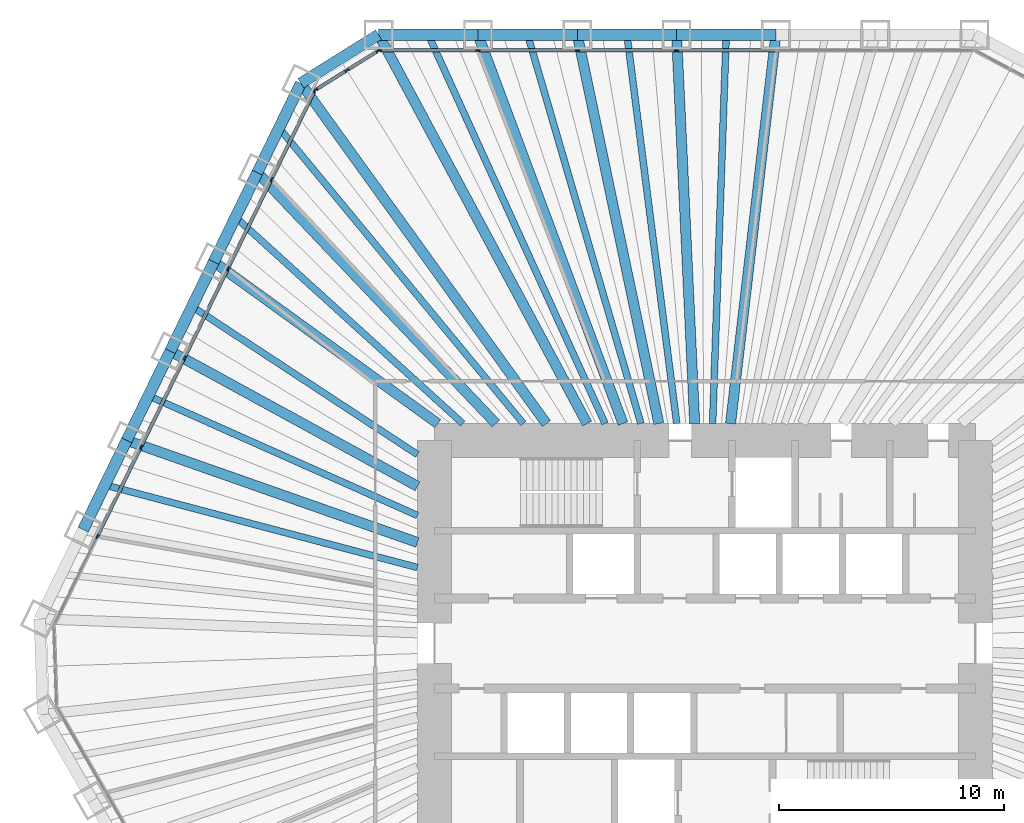
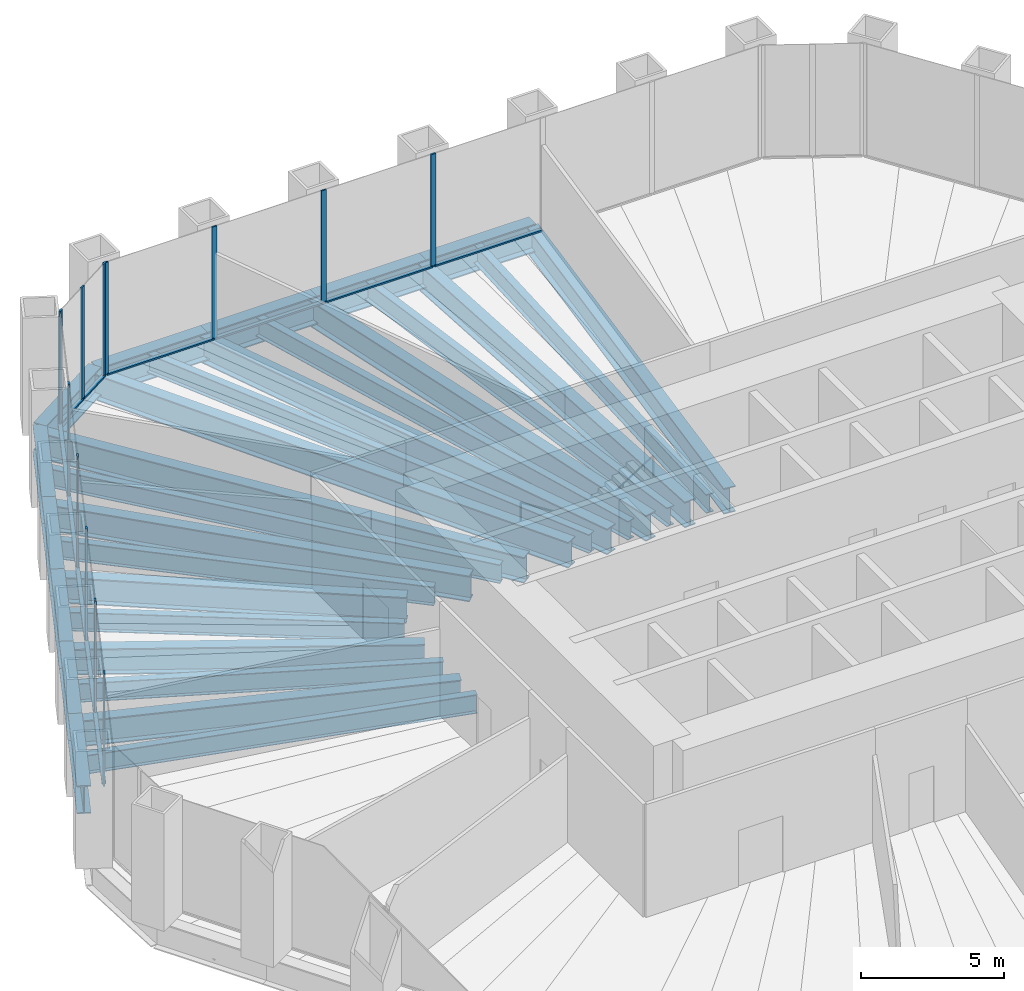
# One storey, part 6 of 13: 29 beams, 24 members, 3 elements without a shape of their own.
"""IFC4 building model written with IfcOpenShell, lengths in metres."""

from ifc_helpers import new_model, si_unit, direction, frame, origin, origin_2d, place, context, subcontext, project, spatial, rectangle, i_section, extrude, material, material_profile, profile_set, type_object, element, aggregate, save


model = new_model("IFC4")

# Units and contexts
model_context = context("Model", 3, precision=1e-05, world=origin(), true_north=direction((0.0, 1.0)))
body_context = subcontext(model_context, "Body", "Model", "MODEL_VIEW")
ifc_project = project(units=[si_unit("LENGTHUNIT", "METRE"), si_unit("AREAUNIT", "SQUARE_METRE"), si_unit("VOLUMEUNIT", "CUBIC_METRE"), si_unit("PLANEANGLEUNIT", "RADIAN"), si_unit("MASSUNIT", "GRAM", prefix="KILO")], contexts=[model_context])

# Site, building, storey
site_placement = place(None, origin())
site = spatial("IfcSite", under=ifc_project, at=site_placement, CompositionType="ELEMENT")
building_placement = place(site_placement, origin())
building = spatial("IfcBuilding", under=site, at=building_placement, Name="Qingtian Harvest Tower", CompositionType="ELEMENT")
storey_placement = place(building_placement, frame((0.0, 0.0, 42.0)))
storey = spatial("IfcBuildingStorey", under=building, at=storey_placement, Name="L08", CompositionType="ELEMENT", Elevation=42.0)

# Beams
ifc_material_1 = material(Name="Steel SM570MC", Category="steel")
ifc_material_profile_1 = material_profile(ifc_material_1, i_section(OverallWidth=0.449951171875, OverallDepth=1.10009765625, WebThickness=0.02197265625, FlangeThickness=0.044921875, at=origin_2d()), Name="H1100x450x22x45")
ifc_profile_set_1 = profile_set([ifc_material_profile_1], Name="Steel SM570MC")
beam_type_1 = type_object("IfcBeamType", Name="Corner floor beam FB8 H1100x450x22x45", PredefinedType="BEAM", material=ifc_profile_set_1)
beam_1_placement = place(storey_placement, frame((-14.471435546875, 27.0, -0.75), z_axis=(0.472401408299, -0.881383520062, 0.0), x_axis=(0.881383520062, 0.472401408299, 0.0)))
element("IfcBeam", 1, at=beam_1_placement, inside=storey, type_object=beam_type_1, Name="Floor beam FB8 N0", PredefinedType="BEAM", context=body_context, shape_type="SweptSolid", body=[
    extrude(i_section(OverallWidth=0.449951171875, OverallDepth=1.10009765625, WebThickness=0.02197265625, FlangeThickness=0.044921875, at=origin_2d()), origin(), (0.0, 0.0, 1.0), 19.571533203125),
])
beam_2_placement = place(storey_placement, frame((-17.923583984375, 24.8427734375, -0.75), z_axis=(0.585095822328, -0.810964166098, 0.0), x_axis=(0.810964166098, 0.585095822328, 0.0)))
element("IfcBeam", 2, at=beam_2_placement, inside=storey, type_object=beam_type_1, Name="Floor beam FB8 NW6", PredefinedType="BEAM", context=body_context, shape_type="SweptSolid", body=[
    extrude(i_section(OverallWidth=0.449951171875, OverallDepth=1.10009765625, WebThickness=0.02197265625, FlangeThickness=0.044921875, at=origin_2d()), origin(), (0.0, 0.0, 1.0), 18.61083984375),
])
ifc_material_2 = material(Name="Steel SM570MC", Category="steel")
ifc_material_profile_2 = material_profile(ifc_material_2, i_section(OverallWidth=0.449951171875, OverallDepth=1.10009765625, WebThickness=0.02197265625, FlangeThickness=0.044921875, at=origin_2d()), Name="H1100x450x22x45")
ifc_profile_set_2 = profile_set([ifc_material_profile_2], Name="Steel SM570MC")
beam_type_2 = type_object("IfcBeamType", Name="Floor beam FB1 H1100x450x22x45", PredefinedType="BEAM", material=ifc_profile_set_2)
beam_3_placement = place(storey_placement, frame((-10.06689453125, 27.0, -0.75), z_axis=(0.349355612113, -0.936990211414, 0.0), x_axis=(0.936990211414, 0.349355612113, 0.0)))
element("IfcBeam", 3, at=beam_3_placement, inside=storey, type_object=beam_type_2, Name="Floor beam FB1 N1", PredefinedType="BEAM", context=body_context, shape_type="SweptSolid", body=[
    extrude(i_section(OverallWidth=0.449951171875, OverallDepth=1.10009765625, WebThickness=0.02197265625, FlangeThickness=0.044921875, at=origin_2d()), origin(), (0.0, 0.0, 1.0), 18.409912109375),
])
beam_4_placement = place(storey_placement, frame((-5.662353515625, 27.0, -0.75), z_axis=(0.205255077335, -0.978708512903, 0.0), x_axis=(0.978708512903, 0.205255077335, 0.0)))
element("IfcBeam", 4, at=beam_4_placement, inside=storey, type_object=beam_type_2, Name="Floor beam FB1 N2", PredefinedType="BEAM", context=body_context, shape_type="SweptSolid", body=[
    extrude(i_section(OverallWidth=0.449951171875, OverallDepth=1.10009765625, WebThickness=0.02197265625, FlangeThickness=0.044921875, at=origin_2d()), origin(), (0.0, 0.0, 1.0), 17.625244140625),
])
beam_5_placement = place(storey_placement, frame((-1.257568359375, 27.0, -0.75), z_axis=(0.046527342366, -0.99891701678, 0.0), x_axis=(0.99891701678, 0.046527342366, 0.0)))
element("IfcBeam", 5, at=beam_5_placement, inside=storey, type_object=beam_type_2, Name="Floor beam FB1 N3", PredefinedType="BEAM", context=body_context, shape_type="SweptSolid", body=[
    extrude(i_section(OverallWidth=0.449951171875, OverallDepth=1.10009765625, WebThickness=0.02197265625, FlangeThickness=0.044921875, at=origin_2d()), origin(), (0.0, 0.0, 1.0), 17.268798828125),
])
beam_6_placement = place(storey_placement, frame((3.14697265625, 27.0, -0.75), z_axis=(-0.115766971807, -0.993276400726, 0.0), x_axis=(0.993276400726, -0.115766971807, 0.0)))
element("IfcBeam", 6, at=beam_6_placement, inside=storey, type_object=beam_type_2, Name="Floor beam FB1 N4", PredefinedType="BEAM", context=body_context, shape_type="SweptSolid", body=[
    extrude(i_section(OverallWidth=0.449951171875, OverallDepth=1.10009765625, WebThickness=0.02197265625, FlangeThickness=0.044921875, at=origin_2d()), origin(), (0.0, 0.0, 1.0), 17.36669921875),
])
beam_7_placement = place(storey_placement, frame((-25.64697265625, 9.007568359375, -0.75), z_axis=(0.943501950009, -0.331366972296, 0.0), x_axis=(0.331366972296, 0.943501950009, 0.0)))
element("IfcBeam", 7, at=beam_7_placement, inside=storey, type_object=beam_type_2, Name="Floor beam FB1 NW2", PredefinedType="BEAM", context=body_context, shape_type="SweptSolid", body=[
    extrude(i_section(OverallWidth=0.449951171875, OverallDepth=1.10009765625, WebThickness=0.02197265625, FlangeThickness=0.044921875, at=origin_2d()), origin(), (0.0, 0.0, 1.0), 13.669189453125),
])
beam_8_placement = place(storey_placement, frame((-23.716064453125, 12.96630859375, -0.75), z_axis=(0.877428569154, -0.479707312882, 0.0), x_axis=(0.479707312882, 0.877428569154, 0.0)))
element("IfcBeam", 8, at=beam_8_placement, inside=storey, type_object=beam_type_2, Name="Floor beam FB1 NW3", PredefinedType="BEAM", context=body_context, shape_type="SweptSolid", body=[
    extrude(i_section(OverallWidth=0.449951171875, OverallDepth=1.10009765625, WebThickness=0.02197265625, FlangeThickness=0.044921875, at=origin_2d()), origin(), (0.0, 0.0, 1.0), 12.498046875),
])
beam_9_placement = place(storey_placement, frame((-21.78515625, 16.92529296875, -0.75), z_axis=(0.810680279019, -0.585489099139, 0.0), x_axis=(0.585489099139, 0.810680279019, 0.0)))
element("IfcBeam", 9, at=beam_9_placement, inside=storey, type_object=beam_type_2, Name="Floor beam FB1 NW4", PredefinedType="BEAM", context=body_context, shape_type="SweptSolid", body=[
    extrude(i_section(OverallWidth=0.449951171875, OverallDepth=1.10009765625, WebThickness=0.02197265625, FlangeThickness=0.044921875, at=origin_2d()), origin(), (0.0, 0.0, 1.0), 12.255126953125),
])
beam_10_placement = place(storey_placement, frame((-19.8544921875, 20.884033203125, -0.75), z_axis=(0.689018801535, -0.724743465739, 0.0), x_axis=(0.724743465739, 0.689018801535, 0.0)))
element("IfcBeam", 10, at=beam_10_placement, inside=storey, type_object=beam_type_2, Name="Floor beam FB1 NW5", PredefinedType="BEAM", context=body_context, shape_type="SweptSolid", body=[
    extrude(i_section(OverallWidth=0.449951171875, OverallDepth=1.10009765625, WebThickness=0.02197265625, FlangeThickness=0.044921875, at=origin_2d()), origin(), (0.0, 0.0, 1.0), 15.36279296875),
])
ifc_material_3 = material(Name="Steel SN490B", Category="steel")
ifc_material_profile_3 = material_profile(ifc_material_3, i_section(OverallWidth=0.300048828125, OverallDepth=0.800048828125, WebThickness=0.013916015625, FlangeThickness=0.02587890625, at=origin_2d()), Name="H800x300x14x26")
ifc_profile_set_3 = profile_set([ifc_material_profile_3], Name="Steel SN490B")
beam_type_3 = type_object("IfcBeamType", Name="Floor joist J1 H800x300x14x26", PredefinedType="JOIST", material=ifc_profile_set_3)
beam_11_placement = place(storey_placement, frame((-12.269287109375, 27.0, -0.60009765625), z_axis=(0.413713629402, -0.910407069858, 0.0), x_axis=(0.910407069858, 0.413713629402, 0.0)))
element("IfcBeam", 11, at=beam_11_placement, inside=storey, type_object=beam_type_3, Name="Floor joist J1 N0", PredefinedType="JOIST", context=body_context, shape_type="SweptSolid", body=[
    extrude(i_section(OverallWidth=0.300048828125, OverallDepth=0.800048828125, WebThickness=0.013916015625, FlangeThickness=0.02587890625, at=origin_2d()), origin(), (0.0, 0.0, 1.0), 18.947509765625),
])
beam_12_placement = place(storey_placement, frame((-7.864501953125, 27.0, -0.60009765625), z_axis=(0.279649335299, -0.960102207719, 0.0), x_axis=(0.960102207719, 0.279649335299, 0.0)))
element("IfcBeam", 12, at=beam_12_placement, inside=storey, type_object=beam_type_3, Name="Floor joist J1 N1", PredefinedType="JOIST", context=body_context, shape_type="SweptSolid", body=[
    extrude(i_section(OverallWidth=0.300048828125, OverallDepth=0.800048828125, WebThickness=0.013916015625, FlangeThickness=0.02587890625, at=origin_2d()), origin(), (0.0, 0.0, 1.0), 17.966796875),
])
beam_13_placement = place(storey_placement, frame((-3.4599609375, 27.0, -0.60009765625), z_axis=(0.127102696173, -0.991889562716, 0.0), x_axis=(0.991889562716, 0.127102696173, 0.0)))
element("IfcBeam", 13, at=beam_13_placement, inside=storey, type_object=beam_type_3, Name="Floor joist J1 N2", PredefinedType="JOIST", context=body_context, shape_type="SweptSolid", body=[
    extrude(i_section(OverallWidth=0.300048828125, OverallDepth=0.800048828125, WebThickness=0.013916015625, FlangeThickness=0.02587890625, at=origin_2d()), origin(), (0.0, 0.0, 1.0), 17.39111328125),
])
beam_14_placement = place(storey_placement, frame((0.944580078125, 27.0, -0.60009765625), z_axis=(-0.034965020137, -0.99938853674, 0.0), x_axis=(0.99938853674, -0.034965020137, 0.0)))
element("IfcBeam", 14, at=beam_14_placement, inside=storey, type_object=beam_type_3, Name="Floor joist J1 N3", PredefinedType="JOIST", context=body_context, shape_type="SweptSolid", body=[
    extrude(i_section(OverallWidth=0.300048828125, OverallDepth=0.800048828125, WebThickness=0.013916015625, FlangeThickness=0.02587890625, at=origin_2d()), origin(), (0.0, 0.0, 1.0), 17.260498046875),
])
beam_15_placement = place(storey_placement, frame((-26.6123046875, 7.028076171875, -0.60009765625), z_axis=(0.966852496992, -0.255335561684, 0.0), x_axis=(0.255335561684, 0.966852496992, 0.0)))
element("IfcBeam", 15, at=beam_15_placement, inside=storey, type_object=beam_type_3, Name="Floor joist J1 NW1", PredefinedType="JOIST", context=body_context, shape_type="SweptSolid", body=[
    extrude(i_section(OverallWidth=0.300048828125, OverallDepth=0.800048828125, WebThickness=0.013916015625, FlangeThickness=0.02587890625, at=origin_2d()), origin(), (0.0, 0.0, 1.0), 14.337646484375),
])
beam_16_placement = place(storey_placement, frame((-24.681640625, 10.987060546875, -0.60009765625), z_axis=(0.913567796195, -0.406686466157, 0.0), x_axis=(0.406686466157, 0.913567796195, 0.0)))
element("IfcBeam", 16, at=beam_16_placement, inside=storey, type_object=beam_type_3, Name="Floor joist J1 NW2", PredefinedType="JOIST", context=body_context, shape_type="SweptSolid", body=[
    extrude(i_section(OverallWidth=0.300048828125, OverallDepth=0.800048828125, WebThickness=0.013916015625, FlangeThickness=0.02587890625, at=origin_2d()), origin(), (0.0, 0.0, 1.0), 13.060546875),
])
beam_17_placement = place(storey_placement, frame((-22.750732421875, 14.94580078125, -0.60009765625), z_axis=(0.835785467613, -0.549056146607, 0.0), x_axis=(0.549056146607, 0.835785467613, 0.0)))
element("IfcBeam", 17, at=beam_17_placement, inside=storey, type_object=beam_type_3, Name="Floor joist J1 NW3", PredefinedType="JOIST", context=body_context, shape_type="SweptSolid", body=[
    extrude(i_section(OverallWidth=0.300048828125, OverallDepth=0.800048828125, WebThickness=0.013916015625, FlangeThickness=0.02587890625, at=origin_2d()), origin(), (0.0, 0.0, 1.0), 11.965576171875),
])
beam_18_placement = place(storey_placement, frame((-20.81982421875, 18.904541015625, -0.60009765625), z_axis=(0.740339866926, -0.672232758381, 0.0), x_axis=(0.672232758381, 0.740339866926, 0.0)))
element("IfcBeam", 18, at=beam_18_placement, inside=storey, type_object=beam_type_3, Name="Floor joist J1 NW4", PredefinedType="JOIST", context=body_context, shape_type="SweptSolid", body=[
    extrude(i_section(OverallWidth=0.300048828125, OverallDepth=0.800048828125, WebThickness=0.013916015625, FlangeThickness=0.02587890625, at=origin_2d()), origin(), (0.0, 0.0, 1.0), 13.6181640625),
])
beam_19_placement = place(storey_placement, frame((-18.888916015625, 22.863525390625, -0.60009765625), z_axis=(0.636910378144, -0.77093785107, 0.0), x_axis=(0.77093785107, 0.636910378144, 0.0)))
element("IfcBeam", 19, at=beam_19_placement, inside=storey, type_object=beam_type_3, Name="Floor joist J1 NW5", PredefinedType="JOIST", context=body_context, shape_type="SweptSolid", body=[
    extrude(i_section(OverallWidth=0.300048828125, OverallDepth=0.800048828125, WebThickness=0.013916015625, FlangeThickness=0.02587890625, at=origin_2d()), origin(), (0.0, 0.0, 1.0), 17.009765625),
])

# Curtain wall, members
ifc_material_4 = material(Name="Bronze-anodised aluminium curtain wall", Category="aluminium")
curtain_wall_type = type_object("IfcCurtainWallType", Name="Curtain wall CW2 farm reception", PredefinedType="USERDEFINED", material=ifc_material_4)
curtain_wall_1_placement = place(storey_placement, origin())
curtain_wall_1 = element("IfcCurtainWall", 20, at=curtain_wall_1_placement, inside=storey, type_object=curtain_wall_type, Name="Curtain wall CW2 L08 N0-5", ObjectType="RECESSED CURTAIN WALL", PredefinedType="USERDEFINED")
ifc_material_5 = material(Name="Bronze-anodised aluminium mullion", Category="aluminium")
ifc_material_profile_4 = material_profile(ifc_material_5, rectangle(XDim=0.06494140625, YDim=0.199951171875, at=origin_2d()), Name="AL 65x200")
ifc_profile_set_4 = profile_set([ifc_material_profile_4], Name="Bronze-anodised aluminium mullion")
member_type_1 = type_object("IfcMemberType", Name="Mullion CWM 65x200", PredefinedType="MULLION", material=ifc_profile_set_4)
member_1_placement = place(storey_placement, frame((-14.43896484375, 26.300048828125, 0.0), z_axis=(0.0, 0.0, 1.0), x_axis=(0.0, 1.0, 0.0)))
member_1 = element("IfcMember", 21, at=member_1_placement, type_object=member_type_1, Name="CW2 mullion 1", PredefinedType="MULLION", context=body_context, shape_type="SweptSolid", body=[
    extrude(rectangle(XDim=0.06494140625, YDim=0.199951171875, at=origin_2d()), origin(), (0.0, 0.0, 1.0), 4.800048828125),
])
member_2_placement = place(storey_placement, frame((-10.06689453125, 26.300048828125, 0.0), z_axis=(0.0, 0.0, 1.0), x_axis=(0.0, 1.0, 0.0)))
member_2 = element("IfcMember", 22, at=member_2_placement, type_object=member_type_1, Name="CW2 mullion 2", PredefinedType="MULLION", context=body_context, shape_type="SweptSolid", body=[
    extrude(rectangle(XDim=0.06494140625, YDim=0.199951171875, at=origin_2d()), origin(), (0.0, 0.0, 1.0), 4.800048828125),
])
member_3_placement = place(storey_placement, frame((-5.662353515625, 26.300048828125, 0.0), z_axis=(0.0, 0.0, 1.0), x_axis=(0.0, 1.0, 0.0)))
member_3 = element("IfcMember", 23, at=member_3_placement, type_object=member_type_1, Name="CW2 mullion 3", PredefinedType="MULLION", context=body_context, shape_type="SweptSolid", body=[
    extrude(rectangle(XDim=0.06494140625, YDim=0.199951171875, at=origin_2d()), origin(), (0.0, 0.0, 1.0), 4.800048828125),
])
member_4_placement = place(storey_placement, frame((-1.257568359375, 26.300048828125, 0.0), z_axis=(0.0, 0.0, 1.0), x_axis=(0.0, 1.0, 0.0)))
member_4 = element("IfcMember", 24, at=member_4_placement, type_object=member_type_1, Name="CW2 mullion 4", PredefinedType="MULLION", context=body_context, shape_type="SweptSolid", body=[
    extrude(rectangle(XDim=0.06494140625, YDim=0.199951171875, at=origin_2d()), origin(), (0.0, 0.0, 1.0), 4.800048828125),
])

curtain_wall_2_placement = place(storey_placement, origin())
curtain_wall_2 = element("IfcCurtainWall", 25, at=curtain_wall_2_placement, inside=storey, type_object=curtain_wall_type, Name="Curtain wall CW2 L08 NW0-5", ObjectType="RECESSED CURTAIN WALL", PredefinedType="USERDEFINED")
member_5_placement = place(storey_placement, frame((-26.94873046875, 4.741943359375, 0.0), z_axis=(0.0, 0.0, 1.0), x_axis=(-0.898794046299, 0.438371146789, 0.0)))
member_5 = element("IfcMember", 26, at=member_5_placement, type_object=member_type_1, Name="CW2 mullion 2", PredefinedType="MULLION", context=body_context, shape_type="SweptSolid", body=[
    extrude(rectangle(XDim=0.06494140625, YDim=0.199951171875, at=origin_2d()), origin(), (0.0, 0.0, 1.0), 4.800048828125),
])
member_6_placement = place(storey_placement, frame((-25.017822265625, 8.70068359375, 0.0), z_axis=(0.0, 0.0, 1.0), x_axis=(-0.898794046299, 0.438371146789, 0.0)))
member_6 = element("IfcMember", 27, at=member_6_placement, type_object=member_type_1, Name="CW2 mullion 3", PredefinedType="MULLION", context=body_context, shape_type="SweptSolid", body=[
    extrude(rectangle(XDim=0.06494140625, YDim=0.199951171875, at=origin_2d()), origin(), (0.0, 0.0, 1.0), 4.800048828125),
])
member_7_placement = place(storey_placement, frame((-23.0869140625, 12.659423828125, 0.0), z_axis=(0.0, 0.0, 1.0), x_axis=(-0.898794046299, 0.438371146789, 0.0)))
member_7 = element("IfcMember", 28, at=member_7_placement, type_object=member_type_1, Name="CW2 mullion 4", PredefinedType="MULLION", context=body_context, shape_type="SweptSolid", body=[
    extrude(rectangle(XDim=0.06494140625, YDim=0.199951171875, at=origin_2d()), origin(), (0.0, 0.0, 1.0), 4.800048828125),
])
member_8_placement = place(storey_placement, frame((-21.156005859375, 16.618408203125, 0.0), z_axis=(0.0, 0.0, 1.0), x_axis=(-0.898794046299, 0.438371146789, 0.0)))
member_8 = element("IfcMember", 29, at=member_8_placement, type_object=member_type_1, Name="CW2 mullion 5", PredefinedType="MULLION", context=body_context, shape_type="SweptSolid", body=[
    extrude(rectangle(XDim=0.06494140625, YDim=0.199951171875, at=origin_2d()), origin(), (0.0, 0.0, 1.0), 4.800048828125),
])
member_9_placement = place(storey_placement, frame((-19.225341796875, 20.5771484375, 0.0), z_axis=(0.0, 0.0, 1.0), x_axis=(-0.898794046299, 0.438371146789, 0.0)))
member_9 = element("IfcMember", 30, at=member_9_placement, type_object=member_type_1, Name="CW2 mullion 6", PredefinedType="MULLION", context=body_context, shape_type="SweptSolid", body=[
    extrude(rectangle(XDim=0.06494140625, YDim=0.199951171875, at=origin_2d()), origin(), (0.0, 0.0, 1.0), 4.800048828125),
])
member_10_placement = place(storey_placement, frame((-17.30859375, 24.5068359375, 0.0), z_axis=(0.0, 0.0, 1.0), x_axis=(-0.898794046299, 0.438371146789, 0.0)))
member_10 = element("IfcMember", 31, at=member_10_placement, type_object=member_type_1, Name="CW2 mullion 7", PredefinedType="MULLION", context=body_context, shape_type="SweptSolid", body=[
    extrude(rectangle(XDim=0.06494140625, YDim=0.199951171875, at=origin_2d()), origin(), (0.0, 0.0, 1.0), 4.800048828125),
])

curtain_wall_3_placement = place(storey_placement, origin())
curtain_wall_3 = element("IfcCurtainWall", 32, at=curtain_wall_3_placement, inside=storey, type_object=curtain_wall_type, Name="Curtain wall CW2 L08 NWC", ObjectType="RECESSED CURTAIN WALL", PredefinedType="USERDEFINED")
member_11_placement = place(storey_placement, frame((-17.266845703125, 24.55322265625, 0.0), z_axis=(0.0, 0.0, 1.0), x_axis=(-0.529919264233, 0.848048096156, 0.0)))
member_11 = element("IfcMember", 33, at=member_11_placement, type_object=member_type_1, Name="CW2 mullion 1", PredefinedType="MULLION", context=body_context, shape_type="SweptSolid", body=[
    extrude(rectangle(XDim=0.06494140625, YDim=0.199951171875, at=origin_2d()), origin(), (0.0, 0.0, 1.0), 4.800048828125),
])
member_12_placement = place(storey_placement, frame((-15.883056640625, 25.41796875, 0.0), z_axis=(0.0, 0.0, 1.0), x_axis=(-0.529919264233, 0.848048096156, 0.0)))
member_12 = element("IfcMember", 34, at=member_12_placement, type_object=member_type_1, Name="CW2 mullion 2", PredefinedType="MULLION", context=body_context, shape_type="SweptSolid", body=[
    extrude(rectangle(XDim=0.06494140625, YDim=0.199951171875, at=origin_2d()), origin(), (0.0, 0.0, 1.0), 4.800048828125),
])
member_13_placement = place(storey_placement, frame((-14.4990234375, 26.28271484375, 0.0), z_axis=(0.0, 0.0, 1.0), x_axis=(-0.529919264233, 0.848048096156, 0.0)))
member_13 = element("IfcMember", 35, at=member_13_placement, type_object=member_type_1, Name="CW2 mullion 3", PredefinedType="MULLION", context=body_context, shape_type="SweptSolid", body=[
    extrude(rectangle(XDim=0.06494140625, YDim=0.199951171875, at=origin_2d()), origin(), (0.0, 0.0, 1.0), 4.800048828125),
])

# Beams
ifc_material_6 = material(Name="Steel SM570MC", Category="steel")
ifc_material_profile_5 = material_profile(ifc_material_6, i_section(OverallWidth=0.5, OverallDepth=1.199951171875, WebThickness=0.02490234375, FlangeThickness=0.050048828125, at=origin_2d()), Name="H1200x500x25x50")
ifc_profile_set_5 = profile_set([ifc_material_profile_5], Name="Steel SM570MC")
beam_type_4 = type_object("IfcBeamType", Name="Spandrel beam SB1 H1200x500x25x50", PredefinedType="SPANDREL", material=ifc_profile_set_5)
for number, where, z_axis, x_axis, name in (
    (36, (-14.471435546875, 27.0, -0.60009765625), (1.0, 0.0, 0.0), (0.0, 1.0, 0.0), "Spandrel SB1 N0"),
    (37, (-10.06689453125, 27.0, -0.60009765625), (1.0, 0.0, 0.0), (0.0, 1.0, 0.0), "Spandrel SB1 N1"),
):
    element("IfcBeam", number, at=place(storey_placement, frame(where, z_axis=z_axis, x_axis=x_axis)), inside=storey, type_object=beam_type_4, Name=name, PredefinedType="SPANDREL", context=body_context, shape_type="SweptSolid", body=[
        extrude(i_section(OverallWidth=0.5, OverallDepth=1.199951171875, WebThickness=0.02490234375, FlangeThickness=0.050048828125, at=origin_2d()), origin(), (0.0, 0.0, 1.0), 4.404541015625),
    ])
beam_20_placement = place(storey_placement, frame((-5.662353515625, 27.0, -0.60009765625), z_axis=(1.0, 0.0, 0.0), x_axis=(0.0, 1.0, 0.0)))
element("IfcBeam", 38, at=beam_20_placement, inside=storey, type_object=beam_type_4, Name="Spandrel SB1 N2", PredefinedType="SPANDREL", context=body_context, shape_type="SweptSolid", body=[
    extrude(i_section(OverallWidth=0.5, OverallDepth=1.199951171875, WebThickness=0.02490234375, FlangeThickness=0.050048828125, at=origin_2d()), origin(), (0.0, 0.0, 1.0), 4.40478515625),
])
for number, where, z_axis, x_axis, name in (
    (39, (-1.257568359375, 27.0, -0.60009765625), (1.0, 0.0, 0.0), (0.0, 1.0, 0.0), "Spandrel SB1 N3"),
    (40, (-27.577880859375, 5.048828125, -0.60009765625), (0.438389777529, 0.898784959241, 0.0), (-0.898784959241, 0.438389777529, 0.0), "Spandrel SB1 NW1"),
    (41, (-25.64697265625, 9.007568359375, -0.60009765625), (0.438389777529, 0.898784959241, 0.0), (-0.898784959241, 0.438389777529, 0.0), "Spandrel SB1 NW2"),
):
    element("IfcBeam", number, at=place(storey_placement, frame(where, z_axis=z_axis, x_axis=x_axis)), inside=storey, type_object=beam_type_4, Name=name, PredefinedType="SPANDREL", context=body_context, shape_type="SweptSolid", body=[
        extrude(i_section(OverallWidth=0.5, OverallDepth=1.199951171875, WebThickness=0.02490234375, FlangeThickness=0.050048828125, at=origin_2d()), origin(), (0.0, 0.0, 1.0), 4.404541015625),
    ])
beam_21_placement = place(storey_placement, frame((-23.716064453125, 12.96630859375, -0.60009765625), z_axis=(0.438367938366, 0.898795611145, 0.0), x_axis=(-0.898795611145, 0.438367938366, 0.0)))
element("IfcBeam", 42, at=beam_21_placement, inside=storey, type_object=beam_type_4, Name="Spandrel SB1 NW3", PredefinedType="SPANDREL", context=body_context, shape_type="SweptSolid", body=[
    extrude(i_section(OverallWidth=0.5, OverallDepth=1.199951171875, WebThickness=0.02490234375, FlangeThickness=0.050048828125, at=origin_2d()), origin(), (0.0, 0.0, 1.0), 4.40478515625),
])
for number, where, z_axis, x_axis, name in (
    (43, (-21.78515625, 16.92529296875, -0.60009765625), (0.438344999367, 0.898806798778, 0.0), (-0.898806798778, 0.438344999367, 0.0), "Spandrel SB1 NW4"),
    (44, (-19.8544921875, 20.884033203125, -0.60009765625), (0.438389777529, 0.898784959241, 0.0), (-0.898784959241, 0.438389777529, 0.0), "Spandrel SB1 NW5"),
):
    element("IfcBeam", number, at=place(storey_placement, frame(where, z_axis=z_axis, x_axis=x_axis)), inside=storey, type_object=beam_type_4, Name=name, PredefinedType="SPANDREL", context=body_context, shape_type="SweptSolid", body=[
        extrude(i_section(OverallWidth=0.5, OverallDepth=1.199951171875, WebThickness=0.02490234375, FlangeThickness=0.050048828125, at=origin_2d()), origin(), (0.0, 0.0, 1.0), 4.404541015625),
    ])
beam_22_placement = place(storey_placement, frame((-17.923583984375, 24.8427734375, -0.60009765625), z_axis=(0.848038733752, 0.529934246919, 0.0), x_axis=(-0.529934246919, 0.848038733752, 0.0)))
element("IfcBeam", 45, at=beam_22_placement, inside=storey, type_object=beam_type_4, Name="Spandrel SB1 NWC", PredefinedType="SPANDREL", context=body_context, shape_type="SweptSolid", body=[
    extrude(i_section(OverallWidth=0.5, OverallDepth=1.199951171875, WebThickness=0.02490234375, FlangeThickness=0.050048828125, at=origin_2d()), origin(), (0.0, 0.0, 1.0), 4.07080078125),
])

# Member
ifc_material_7 = material(Name="Bronze-anodised aluminium transom", Category="aluminium")
ifc_material_profile_6 = material_profile(ifc_material_7, rectangle(XDim=0.14990234375, YDim=0.06494140625, at=origin_2d()), Name="AL 65x150")
ifc_profile_set_6 = profile_set([ifc_material_profile_6], Name="Bronze-anodised aluminium transom")
member_type_2 = type_object("IfcMemberType", Name="Transom CWT 65x150", PredefinedType="USERDEFINED", material=ifc_profile_set_6)
member_14_placement = place(storey_placement, frame((-14.406494140625, 26.300048828125, 0.032470703125), z_axis=(1.0, 0.0, 0.0), x_axis=(0.0, 1.0, 0.0)))
member_14 = element("IfcMember", 46, at=member_14_placement, type_object=member_type_2, Name="CW2 transom 1.1", ObjectType="TRANSOM", PredefinedType="USERDEFINED", context=body_context, shape_type="SweptSolid", body=[
    extrude(rectangle(XDim=0.14990234375, YDim=0.06494140625, at=origin_2d()), origin(), (0.0, 0.0, 1.0), 4.30712890625),
])

member_15_placement = place(storey_placement, frame((-10.034423828125, 26.300048828125, 0.032470703125), z_axis=(1.0, 0.0, 0.0), x_axis=(0.0, 1.0, 0.0)))
member_15 = element("IfcMember", 47, at=member_15_placement, type_object=member_type_2, Name="CW2 transom 2.1", ObjectType="TRANSOM", PredefinedType="USERDEFINED", context=body_context, shape_type="SweptSolid", body=[
    extrude(rectangle(XDim=0.14990234375, YDim=0.06494140625, at=origin_2d()), origin(), (0.0, 0.0, 1.0), 4.339599609375),
])

member_16_placement = place(storey_placement, frame((-5.6298828125, 26.300048828125, 0.032470703125), z_axis=(1.0, 0.0, 0.0), x_axis=(0.0, 1.0, 0.0)))
member_16 = element("IfcMember", 48, at=member_16_placement, type_object=member_type_2, Name="CW2 transom 3.1", ObjectType="TRANSOM", PredefinedType="USERDEFINED", context=body_context, shape_type="SweptSolid", body=[
    extrude(rectangle(XDim=0.14990234375, YDim=0.06494140625, at=origin_2d()), origin(), (0.0, 0.0, 1.0), 4.33984375),
])

member_17_placement = place(storey_placement, frame((-1.22509765625, 26.300048828125, 0.032470703125), z_axis=(1.0, 0.0, 0.0), x_axis=(0.0, 1.0, 0.0)))
member_17 = element("IfcMember", 49, at=member_17_placement, type_object=member_type_2, Name="CW2 transom 4.1", ObjectType="TRANSOM", PredefinedType="USERDEFINED", context=body_context, shape_type="SweptSolid", body=[
    extrude(rectangle(XDim=0.14990234375, YDim=0.06494140625, at=origin_2d()), origin(), (0.0, 0.0, 1.0), 4.339599609375),
])

aggregate(curtain_wall_1, [member_1, member_2, member_3, member_4, member_14, member_15, member_16, member_17])

member_18_placement = place(storey_placement, frame((-26.934326171875, 4.77099609375, 0.032470703125), z_axis=(0.438370427127, 0.898794397302, 0.0), x_axis=(-0.898794397302, 0.438370427127, 0.0)))
member_18 = element("IfcMember", 50, at=member_18_placement, type_object=member_type_2, Name="CW2 transom 2.1", ObjectType="TRANSOM", PredefinedType="USERDEFINED", context=body_context, shape_type="SweptSolid", body=[
    extrude(rectangle(XDim=0.14990234375, YDim=0.06494140625, at=origin_2d()), origin(), (0.0, 0.0, 1.0), 4.339599609375),
])

member_19_placement = place(storey_placement, frame((-25.003662109375, 8.72998046875, 0.032470703125), z_axis=(0.438370427127, 0.898794397302, 0.0), x_axis=(-0.898794397302, 0.438370427127, 0.0)))
member_19 = element("IfcMember", 51, at=member_19_placement, type_object=member_type_2, Name="CW2 transom 3.1", ObjectType="TRANSOM", PredefinedType="USERDEFINED", context=body_context, shape_type="SweptSolid", body=[
    extrude(rectangle(XDim=0.14990234375, YDim=0.06494140625, at=origin_2d()), origin(), (0.0, 0.0, 1.0), 4.339599609375),
])

member_20_placement = place(storey_placement, frame((-23.07275390625, 12.688720703125, 0.032470703125), z_axis=(0.438370427127, 0.898794397302, 0.0), x_axis=(-0.898794397302, 0.438370427127, 0.0)))
member_20 = element("IfcMember", 52, at=member_20_placement, type_object=member_type_2, Name="CW2 transom 4.1", ObjectType="TRANSOM", PredefinedType="USERDEFINED", context=body_context, shape_type="SweptSolid", body=[
    extrude(rectangle(XDim=0.14990234375, YDim=0.06494140625, at=origin_2d()), origin(), (0.0, 0.0, 1.0), 4.339599609375),
])

member_21_placement = place(storey_placement, frame((-21.141845703125, 16.6474609375, 0.032470703125), z_axis=(0.438348261778, 0.898805207704, 0.0), x_axis=(-0.898805207704, 0.438348261778, 0.0)))
member_21 = element("IfcMember", 53, at=member_21_placement, type_object=member_type_2, Name="CW2 transom 5.1", ObjectType="TRANSOM", PredefinedType="USERDEFINED", context=body_context, shape_type="SweptSolid", body=[
    extrude(rectangle(XDim=0.14990234375, YDim=0.06494140625, at=origin_2d()), origin(), (0.0, 0.0, 1.0), 4.33984375),
])

member_22_placement = place(storey_placement, frame((-19.2109375, 20.6064453125, 0.032470703125), z_axis=(0.438348803491, 0.89880494351, 0.0), x_axis=(-0.89880494351, 0.438348803491, 0.0)))
member_22 = element("IfcMember", 54, at=member_22_placement, type_object=member_type_2, Name="CW2 transom 6.1", ObjectType="TRANSOM", PredefinedType="USERDEFINED", context=body_context, shape_type="SweptSolid", body=[
    extrude(rectangle(XDim=0.14990234375, YDim=0.06494140625, at=origin_2d()), origin(), (0.0, 0.0, 1.0), 4.306884765625),
])

aggregate(curtain_wall_2, [member_5, member_6, member_7, member_8, member_9, member_10, member_18, member_19, member_20, member_21, member_22])

member_23_placement = place(storey_placement, frame((-17.2392578125, 24.570556640625, 0.032470703125), z_axis=(0.848059570903, 0.529900900357, 0.0), x_axis=(-0.529900900357, 0.848059570903, 0.0)))
member_23 = element("IfcMember", 55, at=member_23_placement, type_object=member_type_2, Name="CW2 transom 1.1", ObjectType="TRANSOM", PredefinedType="USERDEFINED", context=body_context, shape_type="SweptSolid", body=[
    extrude(rectangle(XDim=0.14990234375, YDim=0.06494140625, at=origin_2d()), origin(), (0.0, 0.0, 1.0), 1.56689453125),
])

member_24_placement = place(storey_placement, frame((-15.85546875, 25.435302734375, 0.032470703125), z_axis=(0.848059570903, 0.529900900357, 0.0), x_axis=(-0.529900900357, 0.848059570903, 0.0)))
member_24 = element("IfcMember", 56, at=member_24_placement, type_object=member_type_2, Name="CW2 transom 2.1", ObjectType="TRANSOM", PredefinedType="USERDEFINED", context=body_context, shape_type="SweptSolid", body=[
    extrude(rectangle(XDim=0.14990234375, YDim=0.06494140625, at=origin_2d()), origin(), (0.0, 0.0, 1.0), 1.56689453125),
])

aggregate(curtain_wall_3, [member_11, member_12, member_13, member_23, member_24])

save(model, "model.ifc")
